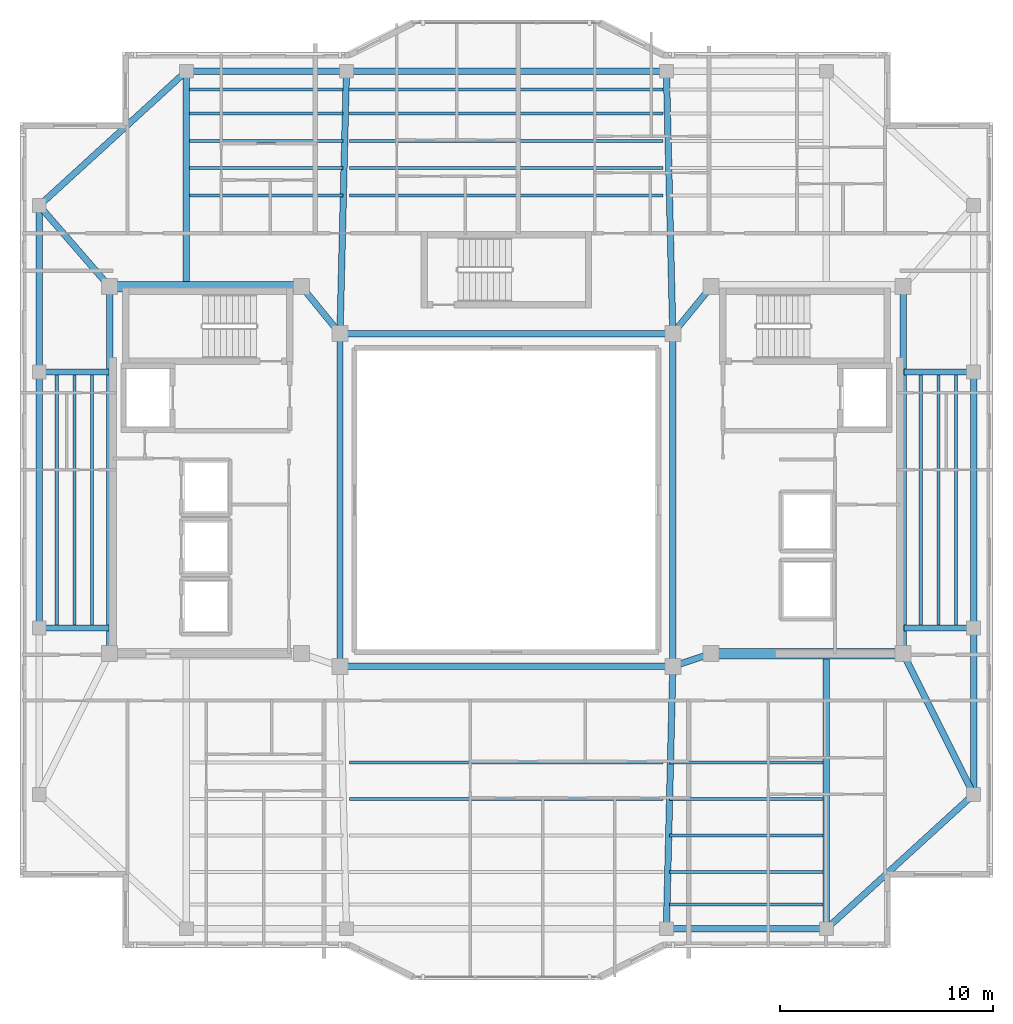
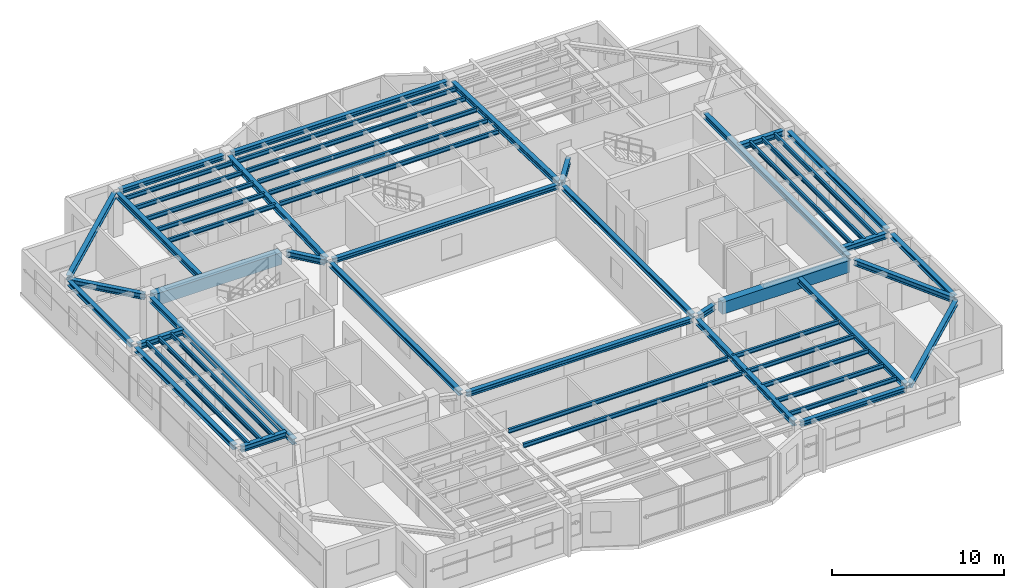
# One storey, part 3 of 15: 54 beams.
"""IFC4 building model written with IfcOpenShell, lengths in metres."""

from ifc_helpers import new_model, si_unit, direction, frame, origin, origin_2d, place, context, subcontext, project, spatial, rectangle, i_section, extrude, material, material_profile, profile_set, type_object, element, save


model = new_model("IFC4")

# Units and contexts
model_context = context("Model", 3, precision=1e-05, world=origin(), true_north=direction((0.0, 1.0)))
body_context = subcontext(model_context, "Body", "Model", "MODEL_VIEW")
ifc_project = project(units=[si_unit("LENGTHUNIT", "METRE"), si_unit("AREAUNIT", "SQUARE_METRE"), si_unit("VOLUMEUNIT", "CUBIC_METRE"), si_unit("PLANEANGLEUNIT", "RADIAN"), si_unit("MASSUNIT", "GRAM", prefix="KILO")], contexts=[model_context])

# Site, building, storey
site_placement = place(None, origin())
site = spatial("IfcSite", under=ifc_project, at=site_placement, CompositionType="ELEMENT")
building_placement = place(site_placement, origin())
building = spatial("IfcBuilding", under=site, at=building_placement, Name="Tarnavaz Court Tower", CompositionType="ELEMENT")
storey_placement = place(building_placement, frame((0.0, 0.0, 244.85009765625)))
storey = spatial("IfcBuildingStorey", under=building, at=storey_placement, Name="L66", CompositionType="ELEMENT", Elevation=244.85009765625)

# Beams
ifc_material_1 = material(Name="Concrete C50/60", Category="concrete")
ifc_material_profile_1 = material_profile(ifc_material_1, rectangle(XDim=0.5, YDim=0.85009765625, at=origin_2d()), Name="RC 500X850")
ifc_profile_set_1 = profile_set([ifc_material_profile_1], Name="Concrete C50/60")
beam_type_1 = type_object("IfcBeamType", Name="BM-CB850", PredefinedType="LINTEL", material=ifc_profile_set_1)
for number, where, z_axis, x_axis, name in (
    (1, (-18.3798828125, 10.0, 2.6748046875), (1.0, 0.0, 0.0), (0.0, 1.0, 0.0), "L66 Beam IN-CW-NO-CW-NI"),
    (2, (18.3798828125, -7.199951171875, 2.6748046875), (-1.0, 0.0, 0.0), (0.0, -1.0, 0.0), "L66 Beam IN-CE-SO-CE-SI"),
):
    element("IfcBeam", number, at=place(storey_placement, frame(where, z_axis=z_axis, x_axis=x_axis)), inside=storey, type_object=beam_type_1, Name=name, PredefinedType="LINTEL", context=body_context, shape_type="SweptSolid", body=[
        extrude(rectangle(XDim=0.5, YDim=0.85009765625, at=origin_2d()), origin(), (0.0, 0.0, 1.0), 8.559814453125),
    ])
ifc_material_2 = material(Name="Steel S355", Category="steel")
ifc_material_profile_2 = material_profile(ifc_material_2, i_section(OverallWidth=0.300048828125, OverallDepth=0.39990234375, WebThickness=0.013427734375, FlangeThickness=0.02392578125, FilletRadius=0.027099609375, at=origin_2d()), Name="HEB 400")
ifc_profile_set_2 = profile_set([ifc_material_profile_2], Name="Steel S355")
beam_type_2 = type_object("IfcBeamType", Name="BM-G-HEB400", PredefinedType="USERDEFINED", material=ifc_profile_set_2)
beam_1_placement = place(storey_placement, frame((9.391357421875, -7.26953125, 2.89990234375), z_axis=(-0.948666544706, -0.316278021615, 0.0), x_axis=(0.316278021615, -0.948666544706, 0.0)))
element("IfcBeam", 3, at=beam_1_placement, inside=storey, type_object=beam_type_2, Name="L66 Beam IN-CE-SI-IW-SE", ObjectType="GIRDER", PredefinedType="USERDEFINED", context=body_context, shape_type="SweptSolid", body=[
    extrude(i_section(OverallWidth=0.300048828125, OverallDepth=0.39990234375, WebThickness=0.013427734375, FlangeThickness=0.02392578125, FilletRadius=0.027099609375, at=origin_2d()), origin(), (0.0, 0.0, 1.0), 1.457275390625),
])
for number, where, z_axis, x_axis, name in (
    (4, (-9.460693359375, 9.82958984375, 2.89990234375), (0.633282058357, -0.773921077735, 0.0), (0.773921077735, 0.633282058357, 0.0), "L66 Beam IN-CW-NI-IW-NW"),
    (5, (9.460693359375, 9.82958984375, 2.89990234375), (-0.633282058357, -0.773921077735, 0.0), (0.773921077735, -0.633282058357, 0.0), "L66 Beam IN-CE-NI-IW-NE"),
):
    element("IfcBeam", number, at=place(storey_placement, frame(where, z_axis=z_axis, x_axis=x_axis)), inside=storey, type_object=beam_type_2, Name=name, ObjectType="GIRDER", PredefinedType="USERDEFINED", context=body_context, shape_type="SweptSolid", body=[
        extrude(i_section(OverallWidth=0.300048828125, OverallDepth=0.39990234375, WebThickness=0.013427734375, FlangeThickness=0.02392578125, FilletRadius=0.027099609375, at=origin_2d()), origin(), (0.0, 0.0, 1.0), 2.402587890625),
    ])
for number, where, z_axis, x_axis, name in (
    (6, (-18.60009765625, -6.97998046875, 2.89990234375), (0.0, 1.0, 0.0), (-1.0, 0.0, 0.0), "L66 Beam IN-CW-SO-CW-NO"),
    (7, (18.60009765625, -6.97998046875, 2.89990234375), (0.0, 1.0, 0.0), (-1.0, 0.0, 0.0), "L66 Beam IN-CE-SO-CE-NO"),
):
    element("IfcBeam", number, at=place(storey_placement, frame(where, z_axis=z_axis, x_axis=x_axis)), inside=storey, type_object=beam_type_2, Name=name, ObjectType="GIRDER", PredefinedType="USERDEFINED", context=body_context, shape_type="SweptSolid", body=[
        extrude(i_section(OverallWidth=0.300048828125, OverallDepth=0.39990234375, WebThickness=0.013427734375, FlangeThickness=0.02392578125, FilletRadius=0.027099609375, at=origin_2d()), origin(), (0.0, 0.0, 1.0), 16.760009765625),
    ])
beam_2_placement = place(storey_placement, frame((-15.0, 10.0400390625, 2.89990234375), z_axis=(0.0, 1.0, 0.0), x_axis=(-1.0, 0.0, 0.0)))
element("IfcBeam", 8, at=beam_2_placement, inside=storey, type_object=beam_type_2, Name="L66 Beam RG-01", ObjectType="GIRDER", PredefinedType="USERDEFINED", context=body_context, shape_type="SweptSolid", body=[
    extrude(i_section(OverallWidth=0.300048828125, OverallDepth=0.39990234375, WebThickness=0.013427734375, FlangeThickness=0.02392578125, FilletRadius=0.027099609375, at=origin_2d()), origin(), (0.0, 0.0, 1.0), 9.83984375),
])
for number, where, z_axis, x_axis, name in (
    (9, (-7.794677734375, 8.02001953125, 2.89990234375), (0.024386002211, 0.99970261723, 0.0), (-0.99970261723, 0.024386002211, 0.0), "L66 Beam RG-02"),
    (10, (7.794677734375, 8.02001953125, 2.89990234375), (-0.024386002211, 0.99970261723, 0.0), (-0.99970261723, -0.024386002211, 0.0), "L66 Beam RG-03"),
    (11, (7.794677734375, -8.02001953125, 2.89990234375), (-0.024386002211, -0.99970261723, 0.0), (0.99970261723, -0.024386002211, 0.0), "L66 Beam RG-07"),
):
    element("IfcBeam", number, at=place(storey_placement, frame(where, z_axis=z_axis, x_axis=x_axis)), inside=storey, type_object=beam_type_2, Name=name, ObjectType="GIRDER", PredefinedType="USERDEFINED", context=body_context, shape_type="SweptSolid", body=[
        extrude(i_section(OverallWidth=0.300048828125, OverallDepth=0.39990234375, WebThickness=0.013427734375, FlangeThickness=0.02392578125, FilletRadius=0.027099609375, at=origin_2d()), origin(), (0.0, 0.0, 1.0), 11.863525390625),
    ])
beam_3_placement = place(storey_placement, frame((15.0, -7.239990234375, 2.89990234375), z_axis=(0.0, -1.0, 0.0), x_axis=(1.0, 0.0, 0.0)))
element("IfcBeam", 12, at=beam_3_placement, inside=storey, type_object=beam_type_2, Name="L66 Beam RG-08", ObjectType="GIRDER", PredefinedType="USERDEFINED", context=body_context, shape_type="SweptSolid", body=[
    extrude(i_section(OverallWidth=0.300048828125, OverallDepth=0.39990234375, WebThickness=0.013427734375, FlangeThickness=0.02392578125, FilletRadius=0.027099609375, at=origin_2d()), origin(), (0.0, 0.0, 1.0), 12.639892578125),
])
for number, where, z_axis, x_axis, name in (
    (13, (18.639892578125, -6.0, 2.89990234375), (1.0, 0.0, 0.0), (0.0, 1.0, 0.0), "L66 Beam RG-09"),
    (14, (18.639892578125, 6.0, 2.89990234375), (1.0, 0.0, 0.0), (0.0, 1.0, 0.0), "L66 Beam RG-10"),
):
    element("IfcBeam", number, at=place(storey_placement, frame(where, z_axis=z_axis, x_axis=x_axis)), inside=storey, type_object=beam_type_2, Name=name, ObjectType="GIRDER", PredefinedType="USERDEFINED", context=body_context, shape_type="SweptSolid", body=[
        extrude(i_section(OverallWidth=0.300048828125, OverallDepth=0.39990234375, WebThickness=0.013427734375, FlangeThickness=0.02392578125, FilletRadius=0.027099609375, at=origin_2d()), origin(), (0.0, 0.0, 1.0), 3.0400390625),
    ])
beam_4_placement = place(storey_placement, frame((18.698486328125, -7.396728515625, 2.89990234375), z_axis=(0.447185448279, -0.894441264057, 0.0), x_axis=(0.894441264057, 0.447185448279, 0.0)))
element("IfcBeam", 15, at=beam_4_placement, inside=storey, type_object=beam_type_2, Name="L66 Beam RG-11", ObjectType="GIRDER", PredefinedType="USERDEFINED", context=body_context, shape_type="SweptSolid", body=[
    extrude(i_section(OverallWidth=0.300048828125, OverallDepth=0.39990234375, WebThickness=0.013427734375, FlangeThickness=0.02392578125, FilletRadius=0.027099609375, at=origin_2d()), origin(), (0.0, 0.0, 1.0), 6.93896484375),
])
for number, where, z_axis, x_axis, name in (
    (16, (-18.639892578125, -6.0, 2.89990234375), (-1.0, 0.0, 0.0), (0.0, -1.0, 0.0), "L66 Beam RG-13"),
    (17, (-18.639892578125, 6.0, 2.89990234375), (-1.0, 0.0, 0.0), (0.0, -1.0, 0.0), "L66 Beam RG-14"),
):
    element("IfcBeam", number, at=place(storey_placement, frame(where, z_axis=z_axis, x_axis=x_axis)), inside=storey, type_object=beam_type_2, Name=name, ObjectType="GIRDER", PredefinedType="USERDEFINED", context=body_context, shape_type="SweptSolid", body=[
        extrude(i_section(OverallWidth=0.300048828125, OverallDepth=0.39990234375, WebThickness=0.013427734375, FlangeThickness=0.02392578125, FilletRadius=0.027099609375, at=origin_2d()), origin(), (0.0, 0.0, 1.0), 3.0400390625),
    ])
beam_5_placement = place(storey_placement, frame((-18.744384765625, 10.166015625, 2.89990234375), z_axis=(-0.65565475567, 0.755060819648, 0.0), x_axis=(-0.755060819648, -0.65565475567, 0.0)))
element("IfcBeam", 18, at=beam_5_placement, inside=storey, type_object=beam_type_2, Name="L66 Beam RG-16", ObjectType="GIRDER", PredefinedType="USERDEFINED", context=body_context, shape_type="SweptSolid", body=[
    extrude(i_section(OverallWidth=0.300048828125, OverallDepth=0.39990234375, WebThickness=0.013427734375, FlangeThickness=0.02392578125, FilletRadius=0.027099609375, at=origin_2d()), origin(), (0.0, 0.0, 1.0), 4.5927734375),
])
ifc_material_profile_3 = material_profile(ifc_material_2, i_section(OverallWidth=0.14990234375, OverallDepth=0.300048828125, WebThickness=0.007080078125, FlangeThickness=0.0107421875, FilletRadius=0.014892578125, at=origin_2d()), Name="IPE 300")
ifc_profile_set_3 = profile_set([ifc_material_profile_3], Name="Steel S355")
beam_type_3 = type_object("IfcBeamType", Name="BM-J-IPE300", PredefinedType="JOIST", material=ifc_profile_set_3)
beam_6_placement = place(storey_placement, frame((-14.85009765625, 14.278076171875, 2.949951171875), z_axis=(1.0, 0.0, 0.0), x_axis=(0.0, 1.0, 0.0)))
element("IfcBeam", 19, at=beam_6_placement, inside=storey, type_object=beam_type_3, Name="L66 Beam JN1-1", PredefinedType="JOIST", context=body_context, shape_type="SweptSolid", body=[
    extrude(i_section(OverallWidth=0.14990234375, OverallDepth=0.300048828125, WebThickness=0.007080078125, FlangeThickness=0.0107421875, FilletRadius=0.014892578125, at=origin_2d()), origin(), (0.0, 0.0, 1.0), 7.2001953125),
])
for number, where, z_axis, x_axis, name in (
    (20, (-7.35009765625, 14.278076171875, 2.949951171875), (1.0, 0.0, 0.0), (0.0, 1.0, 0.0), "L66 Beam JN1-2"),
    (21, (-7.35009765625, -12.31005859375, 2.949951171875), (1.0, 0.0, 0.0), (0.0, 1.0, 0.0), "L66 Beam JS1-2"),
):
    element("IfcBeam", number, at=place(storey_placement, frame(where, z_axis=z_axis, x_axis=x_axis)), inside=storey, type_object=beam_type_3, Name=name, PredefinedType="JOIST", context=body_context, shape_type="SweptSolid", body=[
        extrude(i_section(OverallWidth=0.14990234375, OverallDepth=0.300048828125, WebThickness=0.007080078125, FlangeThickness=0.0107421875, FilletRadius=0.014892578125, at=origin_2d()), origin(), (0.0, 0.0, 1.0), 14.7001953125),
    ])
for number, where, z_axis, x_axis, name in (
    (22, (7.64990234375, -12.31005859375, 2.949951171875), (1.0, 0.0, 0.0), (0.0, 1.0, 0.0), "L66 Beam JS1-3"),
    (23, (-14.85009765625, 15.555908203125, 2.949951171875), (1.0, 0.0, 0.0), (0.0, 1.0, 0.0), "L66 Beam JN2-1"),
):
    element("IfcBeam", number, at=place(storey_placement, frame(where, z_axis=z_axis, x_axis=x_axis)), inside=storey, type_object=beam_type_3, Name=name, PredefinedType="JOIST", context=body_context, shape_type="SweptSolid", body=[
        extrude(i_section(OverallWidth=0.14990234375, OverallDepth=0.300048828125, WebThickness=0.007080078125, FlangeThickness=0.0107421875, FilletRadius=0.014892578125, at=origin_2d()), origin(), (0.0, 0.0, 1.0), 7.2001953125),
    ])
for number, where, z_axis, x_axis, name in (
    (24, (-7.35009765625, 15.555908203125, 2.949951171875), (1.0, 0.0, 0.0), (0.0, 1.0, 0.0), "L66 Beam JN2-2"),
    (25, (-7.35009765625, -14.02001953125, 2.949951171875), (1.0, 0.0, 0.0), (0.0, 1.0, 0.0), "L66 Beam JS2-2"),
):
    element("IfcBeam", number, at=place(storey_placement, frame(where, z_axis=z_axis, x_axis=x_axis)), inside=storey, type_object=beam_type_3, Name=name, PredefinedType="JOIST", context=body_context, shape_type="SweptSolid", body=[
        extrude(i_section(OverallWidth=0.14990234375, OverallDepth=0.300048828125, WebThickness=0.007080078125, FlangeThickness=0.0107421875, FilletRadius=0.014892578125, at=origin_2d()), origin(), (0.0, 0.0, 1.0), 14.7001953125),
    ])
for number, where, z_axis, x_axis, name in (
    (26, (7.64990234375, -14.02001953125, 2.949951171875), (1.0, 0.0, 0.0), (0.0, 1.0, 0.0), "L66 Beam JS2-3"),
    (27, (-14.85009765625, 16.833984375, 2.949951171875), (1.0, 0.0, 0.0), (0.0, 1.0, 0.0), "L66 Beam JN3-1"),
):
    element("IfcBeam", number, at=place(storey_placement, frame(where, z_axis=z_axis, x_axis=x_axis)), inside=storey, type_object=beam_type_3, Name=name, PredefinedType="JOIST", context=body_context, shape_type="SweptSolid", body=[
        extrude(i_section(OverallWidth=0.14990234375, OverallDepth=0.300048828125, WebThickness=0.007080078125, FlangeThickness=0.0107421875, FilletRadius=0.014892578125, at=origin_2d()), origin(), (0.0, 0.0, 1.0), 7.2001953125),
    ])
beam_7_placement = place(storey_placement, frame((-7.35009765625, 16.833984375, 2.949951171875), z_axis=(1.0, 0.0, 0.0), x_axis=(0.0, 1.0, 0.0)))
element("IfcBeam", 28, at=beam_7_placement, inside=storey, type_object=beam_type_3, Name="L66 Beam JN3-2", PredefinedType="JOIST", context=body_context, shape_type="SweptSolid", body=[
    extrude(i_section(OverallWidth=0.14990234375, OverallDepth=0.300048828125, WebThickness=0.007080078125, FlangeThickness=0.0107421875, FilletRadius=0.014892578125, at=origin_2d()), origin(), (0.0, 0.0, 1.0), 14.7001953125),
])
for number, where, z_axis, x_axis, name in (
    (29, (7.64990234375, -15.72998046875, 2.949951171875), (1.0, 0.0, 0.0), (0.0, 1.0, 0.0), "L66 Beam JS3-3"),
    (30, (-14.85009765625, 18.112060546875, 2.949951171875), (1.0, 0.0, 0.0), (0.0, 1.0, 0.0), "L66 Beam JN4-1"),
):
    element("IfcBeam", number, at=place(storey_placement, frame(where, z_axis=z_axis, x_axis=x_axis)), inside=storey, type_object=beam_type_3, Name=name, PredefinedType="JOIST", context=body_context, shape_type="SweptSolid", body=[
        extrude(i_section(OverallWidth=0.14990234375, OverallDepth=0.300048828125, WebThickness=0.007080078125, FlangeThickness=0.0107421875, FilletRadius=0.014892578125, at=origin_2d()), origin(), (0.0, 0.0, 1.0), 7.2001953125),
    ])
beam_8_placement = place(storey_placement, frame((-7.35009765625, 18.112060546875, 2.949951171875), z_axis=(1.0, 0.0, 0.0), x_axis=(0.0, 1.0, 0.0)))
element("IfcBeam", 31, at=beam_8_placement, inside=storey, type_object=beam_type_3, Name="L66 Beam JN4-2", PredefinedType="JOIST", context=body_context, shape_type="SweptSolid", body=[
    extrude(i_section(OverallWidth=0.14990234375, OverallDepth=0.300048828125, WebThickness=0.007080078125, FlangeThickness=0.0107421875, FilletRadius=0.014892578125, at=origin_2d()), origin(), (0.0, 0.0, 1.0), 14.7001953125),
])
for number, where, z_axis, x_axis, name in (
    (32, (7.64990234375, -17.43994140625, 2.949951171875), (1.0, 0.0, 0.0), (0.0, 1.0, 0.0), "L66 Beam JS4-3"),
    (33, (-14.85009765625, 19.248046875, 2.949951171875), (1.0, 0.0, 0.0), (0.0, 1.0, 0.0), "L66 Beam JN5-1"),
):
    element("IfcBeam", number, at=place(storey_placement, frame(where, z_axis=z_axis, x_axis=x_axis)), inside=storey, type_object=beam_type_3, Name=name, PredefinedType="JOIST", context=body_context, shape_type="SweptSolid", body=[
        extrude(i_section(OverallWidth=0.14990234375, OverallDepth=0.300048828125, WebThickness=0.007080078125, FlangeThickness=0.0107421875, FilletRadius=0.014892578125, at=origin_2d()), origin(), (0.0, 0.0, 1.0), 7.2001953125),
    ])
beam_9_placement = place(storey_placement, frame((-7.35009765625, 19.248046875, 2.949951171875), z_axis=(1.0, 0.0, 0.0), x_axis=(0.0, 1.0, 0.0)))
element("IfcBeam", 34, at=beam_9_placement, inside=storey, type_object=beam_type_3, Name="L66 Beam JN5-2", PredefinedType="JOIST", context=body_context, shape_type="SweptSolid", body=[
    extrude(i_section(OverallWidth=0.14990234375, OverallDepth=0.300048828125, WebThickness=0.007080078125, FlangeThickness=0.0107421875, FilletRadius=0.014892578125, at=origin_2d()), origin(), (0.0, 0.0, 1.0), 14.7001953125),
])
beam_10_placement = place(storey_placement, frame((7.64990234375, -18.9599609375, 2.949951171875), z_axis=(1.0, 0.0, 0.0), x_axis=(0.0, 1.0, 0.0)))
element("IfcBeam", 35, at=beam_10_placement, inside=storey, type_object=beam_type_3, Name="L66 Beam JS5-3", PredefinedType="JOIST", context=body_context, shape_type="SweptSolid", body=[
    extrude(i_section(OverallWidth=0.14990234375, OverallDepth=0.300048828125, WebThickness=0.007080078125, FlangeThickness=0.0107421875, FilletRadius=0.014892578125, at=origin_2d()), origin(), (0.0, 0.0, 1.0), 7.2001953125),
])
for number, where, z_axis, x_axis, name in (
    (36, (19.425048828125, -5.9599609375, 2.949951171875), (0.0, 1.0, 0.0), (-1.0, 0.0, 0.0), "L66 Beam JE1"),
    (37, (-19.425048828125, -5.9599609375, 2.949951171875), (0.0, 1.0, 0.0), (-1.0, 0.0, 0.0), "L66 Beam JW1"),
    (38, (20.25, -5.9599609375, 2.949951171875), (0.0, 1.0, 0.0), (-1.0, 0.0, 0.0), "L66 Beam JE2"),
    (39, (-20.25, -5.9599609375, 2.949951171875), (0.0, 1.0, 0.0), (-1.0, 0.0, 0.0), "L66 Beam JW2"),
    (40, (21.074951171875, -5.9599609375, 2.949951171875), (0.0, 1.0, 0.0), (-1.0, 0.0, 0.0), "L66 Beam JE3"),
    (41, (-21.074951171875, -5.9599609375, 2.949951171875), (0.0, 1.0, 0.0), (-1.0, 0.0, 0.0), "L66 Beam JW3"),
):
    element("IfcBeam", number, at=place(storey_placement, frame(where, z_axis=z_axis, x_axis=x_axis)), inside=storey, type_object=beam_type_3, Name=name, PredefinedType="JOIST", context=body_context, shape_type="SweptSolid", body=[
        extrude(i_section(OverallWidth=0.14990234375, OverallDepth=0.300048828125, WebThickness=0.007080078125, FlangeThickness=0.0107421875, FilletRadius=0.014892578125, at=origin_2d()), origin(), (0.0, 0.0, 1.0), 11.919921875),
    ])
ifc_material_profile_4 = material_profile(ifc_material_2, i_section(OverallWidth=0.300048828125, OverallDepth=0.330078125, WebThickness=0.009521484375, FlangeThickness=0.0166015625, FilletRadius=0.027099609375, at=origin_2d()), Name="HEA 340")
ifc_profile_set_4 = profile_set([ifc_material_profile_4], Name="Steel S355")
beam_type_4 = type_object("IfcBeamType", Name="BM-SP-HEA340", PredefinedType="BEAM", material=ifc_profile_set_4)
for number, where, z_axis, x_axis, name in (
    (42, (-7.580078125, -7.800048828125, 2.934814453125), (1.0, 0.0, 0.0), (0.0, 1.0, 0.0), "L66 Beam IN-IW-SW-IW-SE"),
    (43, (-7.580078125, 7.800048828125, 2.934814453125), (1.0, 0.0, 0.0), (0.0, 1.0, 0.0), "L66 Beam IN-IW-NW-IW-NE"),
    (44, (-7.800048828125, -7.580078125, 2.934814453125), (0.0, 1.0, 0.0), (-1.0, 0.0, 0.0), "L66 Beam IN-IW-SW-IW-NW"),
    (45, (7.800048828125, -7.580078125, 2.934814453125), (0.0, 1.0, 0.0), (-1.0, 0.0, 0.0), "L66 Beam IN-IW-SE-IW-NE"),
):
    element("IfcBeam", number, at=place(storey_placement, frame(where, z_axis=z_axis, x_axis=x_axis)), inside=storey, type_object=beam_type_4, Name=name, PredefinedType="BEAM", context=body_context, shape_type="SweptSolid", body=[
        extrude(i_section(OverallWidth=0.300048828125, OverallDepth=0.330078125, WebThickness=0.009521484375, FlangeThickness=0.0166015625, FilletRadius=0.027099609375, at=origin_2d()), origin(), (0.0, 0.0, 1.0), 15.16015625),
    ])
beam_11_placement = place(storey_placement, frame((-14.780029296875, 20.10009765625, 2.934814453125), z_axis=(1.0, 0.0, 0.0), x_axis=(0.0, 1.0, 0.0)))
element("IfcBeam", 46, at=beam_11_placement, inside=storey, type_object=beam_type_4, Name="L66 Beam PR-PN-1-PN-2", PredefinedType="BEAM", context=body_context, shape_type="SweptSolid", body=[
    extrude(i_section(OverallWidth=0.300048828125, OverallDepth=0.330078125, WebThickness=0.009521484375, FlangeThickness=0.0166015625, FilletRadius=0.027099609375, at=origin_2d()), origin(), (0.0, 0.0, 1.0), 7.06005859375),
])
beam_12_placement = place(storey_placement, frame((-7.280029296875, 20.10009765625, 2.934814453125), z_axis=(1.0, 0.0, 0.0), x_axis=(0.0, 1.0, 0.0)))
element("IfcBeam", 47, at=beam_12_placement, inside=storey, type_object=beam_type_4, Name="L66 Beam PR-PN-2-PN-3", PredefinedType="BEAM", context=body_context, shape_type="SweptSolid", body=[
    extrude(i_section(OverallWidth=0.300048828125, OverallDepth=0.330078125, WebThickness=0.009521484375, FlangeThickness=0.0166015625, FilletRadius=0.027099609375, at=origin_2d()), origin(), (0.0, 0.0, 1.0), 14.56005859375),
])
beam_13_placement = place(storey_placement, frame((7.719970703125, -20.10009765625, 2.934814453125), z_axis=(1.0, 0.0, 0.0), x_axis=(0.0, 1.0, 0.0)))
element("IfcBeam", 48, at=beam_13_placement, inside=storey, type_object=beam_type_4, Name="L66 Beam PR-PS-3-PS-4", PredefinedType="BEAM", context=body_context, shape_type="SweptSolid", body=[
    extrude(i_section(OverallWidth=0.300048828125, OverallDepth=0.330078125, WebThickness=0.009521484375, FlangeThickness=0.0166015625, FilletRadius=0.027099609375, at=origin_2d()), origin(), (0.0, 0.0, 1.0), 7.06005859375),
])
beam_14_placement = place(storey_placement, frame((21.89990234375, -13.580078125, 2.934814453125), z_axis=(0.0, 1.0, 0.0), x_axis=(-1.0, 0.0, 0.0)))
element("IfcBeam", 49, at=beam_14_placement, inside=storey, type_object=beam_type_4, Name="L66 Beam PR-PE-1-PE-2", PredefinedType="BEAM", context=body_context, shape_type="SweptSolid", body=[
    extrude(i_section(OverallWidth=0.300048828125, OverallDepth=0.330078125, WebThickness=0.009521484375, FlangeThickness=0.0166015625, FilletRadius=0.027099609375, at=origin_2d()), origin(), (0.0, 0.0, 1.0), 7.360107421875),
])
for number, where, z_axis, x_axis, name in (
    (50, (21.89990234375, -5.780029296875, 2.934814453125), (0.0, 1.0, 0.0), (-1.0, 0.0, 0.0), "L66 Beam PR-PE-2-PE-3"),
    (51, (-21.89990234375, -5.780029296875, 2.934814453125), (0.0, 1.0, 0.0), (-1.0, 0.0, 0.0), "L66 Beam PR-PW-2-PW-3"),
):
    element("IfcBeam", number, at=place(storey_placement, frame(where, z_axis=z_axis, x_axis=x_axis)), inside=storey, type_object=beam_type_4, Name=name, PredefinedType="BEAM", context=body_context, shape_type="SweptSolid", body=[
        extrude(i_section(OverallWidth=0.300048828125, OverallDepth=0.330078125, WebThickness=0.009521484375, FlangeThickness=0.0166015625, FilletRadius=0.027099609375, at=origin_2d()), origin(), (0.0, 0.0, 1.0), 11.56005859375),
    ])
beam_15_placement = place(storey_placement, frame((-21.89990234375, 6.219970703125, 2.934814453125), z_axis=(0.0, 1.0, 0.0), x_axis=(-1.0, 0.0, 0.0)))
element("IfcBeam", 52, at=beam_15_placement, inside=storey, type_object=beam_type_4, Name="L66 Beam PR-PW-3-PW-4", PredefinedType="BEAM", context=body_context, shape_type="SweptSolid", body=[
    extrude(i_section(OverallWidth=0.300048828125, OverallDepth=0.330078125, WebThickness=0.009521484375, FlangeThickness=0.0166015625, FilletRadius=0.027099609375, at=origin_2d()), origin(), (0.0, 0.0, 1.0), 7.360107421875),
])
for number, where, z_axis, x_axis, name in (
    (53, (21.737548828125, -13.9482421875, 2.934814453125), (-0.738474214476, -0.674281717499, 0.0), (0.674281717499, -0.738474214476, 0.0), "L66 Beam PR-PE-1-PS-4"),
    (54, (-21.737548828125, 13.9482421875, 2.934814453125), (0.738474214476, 0.674281717499, 0.0), (-0.674281717499, 0.738474214476, 0.0), "L66 Beam PR-PW-4-PN-1"),
):
    element("IfcBeam", number, at=place(storey_placement, frame(where, z_axis=z_axis, x_axis=x_axis)), inside=storey, type_object=beam_type_4, Name=name, PredefinedType="BEAM", context=body_context, shape_type="SweptSolid", body=[
        extrude(i_section(OverallWidth=0.300048828125, OverallDepth=0.330078125, WebThickness=0.009521484375, FlangeThickness=0.0166015625, FilletRadius=0.027099609375, at=origin_2d()), origin(), (0.0, 0.0, 1.0), 8.9033203125),
    ])

save(model, "model.ifc")
